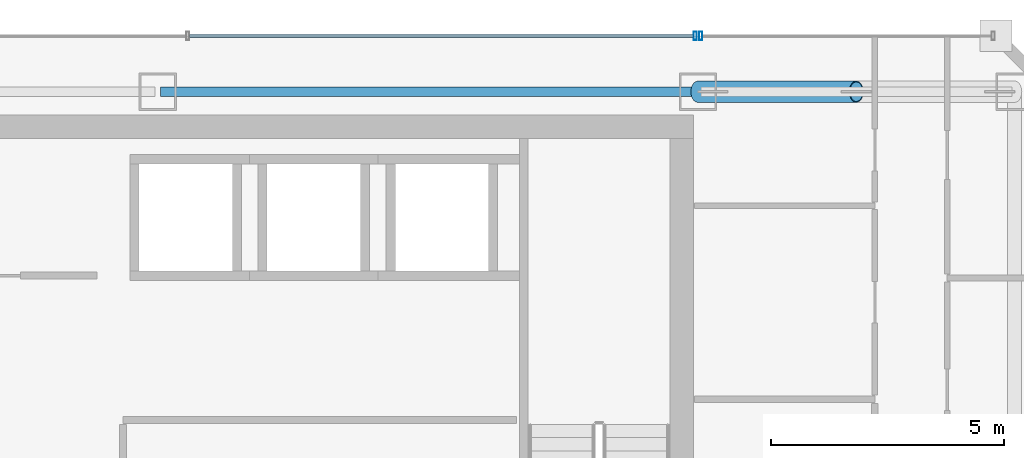
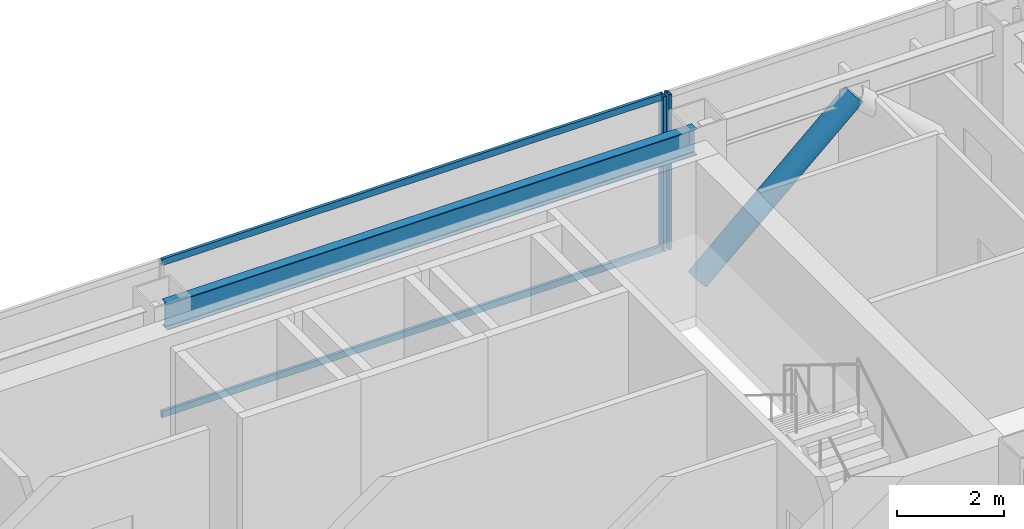
# One storey, part 26 of 35: 5 members, 1 beam, 2 elements without a shape of their own.
"""IFC4 building model written with IfcOpenShell, lengths in metres."""

from ifc_helpers import new_model, si_unit, direction, frame, origin, origin_2d, place, context, subcontext, project, spatial, hollow_rectangle, hollow_circle, i_section, extrude, material, material_profile, profile_set, type_object, element, aggregate, save


model = new_model("IFC4")

# Units and contexts
model_context = context("Model", 3, precision=1e-05, world=origin(), true_north=direction((0.0, 1.0)))
body_context = subcontext(model_context, "Body", "Model", "MODEL_VIEW")
ifc_project = project(units=[si_unit("LENGTHUNIT", "METRE"), si_unit("AREAUNIT", "SQUARE_METRE"), si_unit("VOLUMEUNIT", "CUBIC_METRE"), si_unit("PLANEANGLEUNIT", "RADIAN"), si_unit("MASSUNIT", "GRAM", prefix="KILO")], contexts=[model_context])

# Site, building, storey
site_placement = place(None, origin())
site = spatial("IfcSite", under=ifc_project, at=site_placement, CompositionType="ELEMENT")
building_placement = place(site_placement, origin())
building = spatial("IfcBuilding", under=site, at=building_placement, Name="Saevonmaru Cultural Tower", CompositionType="ELEMENT")
storey_placement = place(building_placement, frame((0.0, 0.0, 213.199951171875)))
storey = spatial("IfcBuildingStorey", under=building, at=storey_placement, Name="L49", CompositionType="ELEMENT", Elevation=213.199951171875)

# Beam
ifc_material_1 = material(Name="Steel SM355", Category="steel")
ifc_material_profile_1 = material_profile(ifc_material_1, i_section(OverallWidth=0.199951171875, OverallDepth=0.60009765625, WebThickness=0.010986328125, FlangeThickness=0.01708984375, FilletRadius=0.02197265625, at=origin_2d()), Name="H-600x200x11x17")
ifc_profile_set_1 = profile_set([ifc_material_profile_1], Name="Steel SM355")
beam_type = type_object("IfcBeamType", Name="BM-SP-H600", PredefinedType="SPANDREL", material=ifc_profile_set_1)
beam_placement = place(storey_placement, frame((34.860107421875, 54.800048828125, 3.25), z_axis=(1.0, 0.0, 0.0), x_axis=(0.0, 1.0, 0.0)))
element("IfcBeam", 1, at=beam_placement, inside=storey, type_object=beam_type, Name="L49 North Spine Girder 4", PredefinedType="SPANDREL", context=body_context, shape_type="SweptSolid", body=[
    extrude(i_section(OverallWidth=0.199951171875, OverallDepth=0.60009765625, WebThickness=0.010986328125, FlangeThickness=0.01708984375, FilletRadius=0.02197265625, at=origin_2d()), origin(), (0.0, 0.0, 1.0), 11.47998046875),
])

# Member
ifc_material_2 = material(Name="Steel SM420", Category="steel")
ifc_material_profile_2 = material_profile(ifc_material_2, hollow_circle(Radius=0.228515625, WallThickness=0.02001953125, at=origin_2d()), Name="CHS-457.2x20")
ifc_profile_set_2 = profile_set([ifc_material_profile_2], Name="Steel SM420")
member_type_1 = type_object("IfcMemberType", Name="MB-PBR-CHS457", PredefinedType="BRACE", material=ifc_profile_set_2)
member_1_placement = place(storey_placement, frame((46.39990234375, 54.800048828125, 0.02001953125), z_axis=(0.744390779303, 0.0, 0.66774423823), x_axis=(0.0, 1.0, 0.0)))
element("IfcMember", 2, at=member_1_placement, inside=storey, type_object=member_type_1, Name="L49 Perimeter Braced-Tube Diagonal EN1", PredefinedType="BRACE", context=body_context, shape_type="SweptSolid", body=[
    extrude(hollow_circle(Radius=0.228515625, WallThickness=0.02001953125, at=origin_2d()), origin(), (0.0, 0.0, 1.0), 4.567626953125),
])

# Curtain wall, member
ifc_material_3 = material(Name="Satin Bronze Anodised Aluminium", Category="aluminium")
curtain_wall_type = type_object("IfcCurtainWallType", Name="CW-TYP-B", PredefinedType="NOTDEFINED", material=ifc_material_3)
curtain_wall_1_placement = place(storey_placement, origin())
curtain_wall_1 = element("IfcCurtainWall", 3, at=curtain_wall_1_placement, inside=storey, type_object=curtain_wall_type, Name="L49 East Braced Bay Spandrel Curtain Wall E10A", PredefinedType="NOTDEFINED")
ifc_material_profile_3 = material_profile(ifc_material_3, hollow_rectangle(XDim=0.06494140625, YDim=0.179931640625, WallThickness=0.00390625, at=origin_2d()), Name="ALU-MULL-180x65x4")
ifc_profile_set_3 = profile_set([ifc_material_profile_3], Name="Satin Bronze Anodised Aluminium")
member_type_2 = type_object("IfcMemberType", Name="ML-CW-180x65", PredefinedType="MULLION", material=ifc_profile_set_3)
member_2_placement = place(storey_placement, frame((46.4599609375, 56.0, 0.0), z_axis=(0.0, 0.0, 1.0), x_axis=(-1.0, 0.0, 0.0)))
member_2 = element("IfcMember", 4, at=member_2_placement, type_object=member_type_2, Name="CW-TW-L49-E10A mullion 2", PredefinedType="MULLION", context=body_context, shape_type="SweptSolid", body=[
    extrude(hollow_rectangle(XDim=0.06494140625, YDim=0.179931640625, WallThickness=0.00390625, at=origin_2d()), origin(), (0.0, 0.0, 1.0), 3.550048828125),
])
aggregate(curtain_wall_1, [member_2])

# Curtain wall, members
curtain_wall_2_placement = place(storey_placement, origin())
curtain_wall_2 = element("IfcCurtainWall", 5, at=curtain_wall_2_placement, inside=storey, type_object=curtain_wall_type, Name="L49 North Spine Unitised Curtain Wall E10B", PredefinedType="NOTDEFINED")
member_3_placement = place(storey_placement, frame((46.340087890625, 56.0, 0.0), z_axis=(0.0, 0.0, 1.0), x_axis=(-1.0, 0.0, 0.0)))
member_3 = element("IfcMember", 6, at=member_3_placement, type_object=member_type_2, Name="CW-TW-L49-E10B mullion 1", PredefinedType="MULLION", context=body_context, shape_type="SweptSolid", body=[
    extrude(hollow_rectangle(XDim=0.06494140625, YDim=0.179931640625, WallThickness=0.00390625, at=origin_2d()), origin(), (0.0, 0.0, 1.0), 3.550048828125),
])
ifc_material_profile_4 = material_profile(ifc_material_3, hollow_rectangle(XDim=0.06494140625, YDim=0.14990234375, WallThickness=0.00390625, at=origin_2d()), Name="ALU-TRAN-150x65x4")
ifc_profile_set_4 = profile_set([ifc_material_profile_4], Name="Satin Bronze Anodised Aluminium")
member_type_3 = type_object("IfcMemberType", Name="TR-CW-150x65", PredefinedType="USERDEFINED", material=ifc_profile_set_4)
member_4_placement = place(storey_placement, frame((46.3076171875, 56.0, 0.032470703125), z_axis=(-1.0, 0.0, 0.0), x_axis=(0.0, -1.0, 0.0)))
member_4 = element("IfcMember", 7, at=member_4_placement, type_object=member_type_3, Name="CW-TW-L49-E10B transom 1.1", ObjectType="TRANSOM", PredefinedType="USERDEFINED", context=body_context, shape_type="SweptSolid", body=[
    extrude(hollow_rectangle(XDim=0.06494140625, YDim=0.14990234375, WallThickness=0.00390625, at=origin_2d()), origin(), (0.0, 0.0, 1.0), 10.828369140625),
])
member_5_placement = place(storey_placement, frame((46.3076171875, 56.0, 3.517578125), z_axis=(-1.0, 0.0, 0.0), x_axis=(0.0, -1.0, 0.0)))
member_5 = element("IfcMember", 8, at=member_5_placement, type_object=member_type_3, Name="CW-TW-L49-E10B transom 1.2", ObjectType="TRANSOM", PredefinedType="USERDEFINED", context=body_context, shape_type="SweptSolid", body=[
    extrude(hollow_rectangle(XDim=0.06494140625, YDim=0.14990234375, WallThickness=0.00390625, at=origin_2d()), origin(), (0.0, 0.0, 1.0), 10.828369140625),
])
aggregate(curtain_wall_2, [member_3, member_4, member_5])

save(model, "model.ifc")
